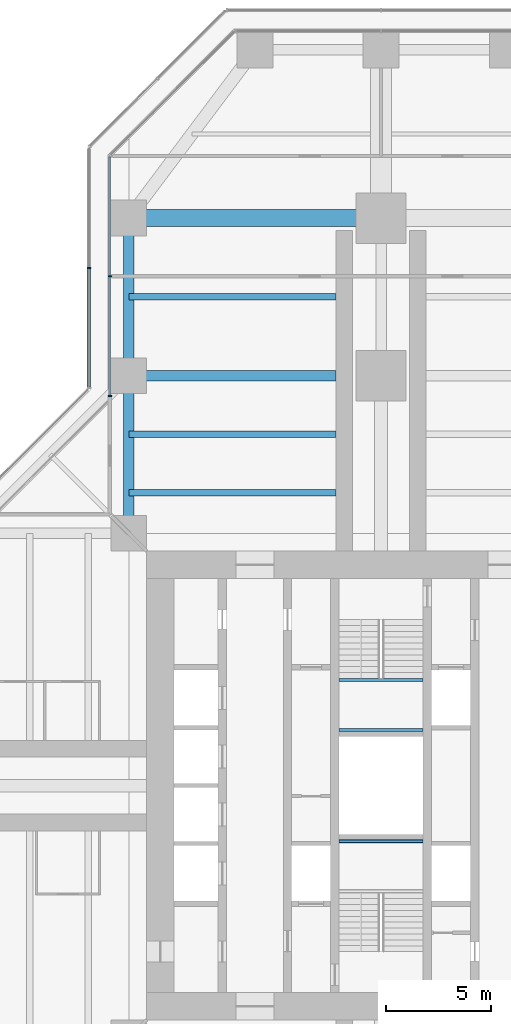
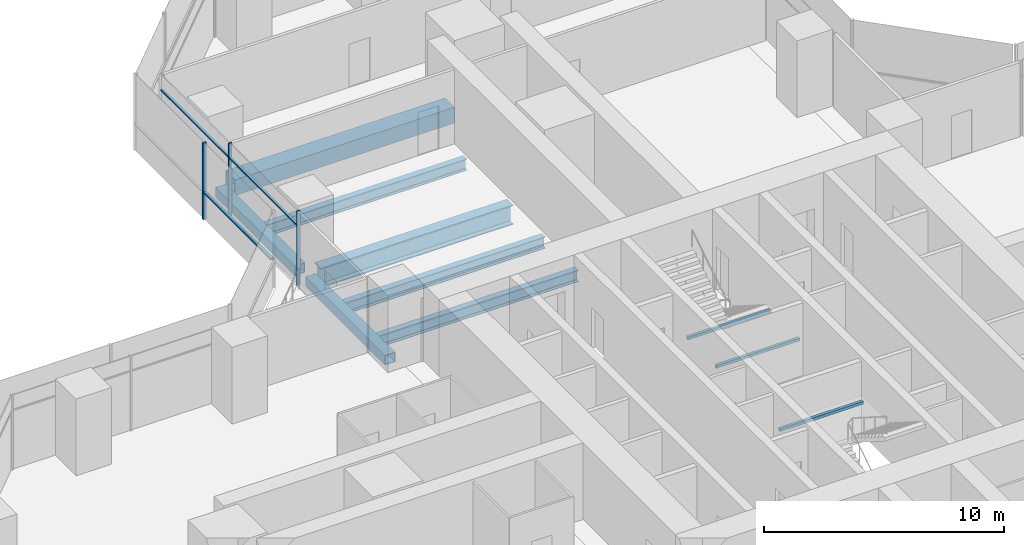
# One storey, part 9 of 22: 10 beams, 6 members, 2 elements without a shape of their own.
"""IFC4 building model written with IfcOpenShell, lengths in metres."""

from ifc_helpers import new_model, si_unit, direction, frame, origin, origin_2d, place, context, subcontext, project, spatial, rectangle, hollow_rectangle, i_section, extrude, material, material_profile, profile_set, type_object, element, aggregate, save


model = new_model("IFC4")

# Units and contexts
model_context = context("Model", 3, precision=1e-05, world=origin(), true_north=direction((0.0, 1.0)))
body_context = subcontext(model_context, "Body", "Model", "MODEL_VIEW")
ifc_project = project(units=[si_unit("LENGTHUNIT", "METRE"), si_unit("AREAUNIT", "SQUARE_METRE"), si_unit("VOLUMEUNIT", "CUBIC_METRE"), si_unit("PLANEANGLEUNIT", "RADIAN"), si_unit("MASSUNIT", "GRAM", prefix="KILO")], contexts=[model_context])

# Site, building, storey
site_placement = place(None, origin())
site = spatial("IfcSite", under=ifc_project, at=site_placement, CompositionType="ELEMENT")
building_placement = place(site_placement, origin())
building = spatial("IfcBuilding", under=site, at=building_placement, Name="Mizan Broadcast Tower", CompositionType="ELEMENT")
storey_placement = place(building_placement, frame((0.0, 0.0, 94.199951171875)))
storey = spatial("IfcBuildingStorey", under=building, at=storey_placement, Name="L20", CompositionType="ELEMENT", Elevation=94.199951171875)

# Beams
ifc_material_1 = material(Name="Steel S355", Category="steel")
ifc_material_profile_1 = material_profile(ifc_material_1, hollow_rectangle(XDim=0.5, YDim=0.5, WallThickness=0.030029296875, at=origin_2d()), Name="BOX 500x500x30")
ifc_profile_set_1 = profile_set([ifc_material_profile_1], Name="Steel S355")
beam_type_1 = type_object("IfcBeamType", Name="EDGE BEAM BOX 500x500x30", PredefinedType="SPANDREL", material=ifc_profile_set_1)
for number, where, z_axis, x_axis, name in (
    (1, (-12.0, 12.449951171875, -0.3798828125), (0.0, 1.0, 0.0), (-1.0, 0.0, 0.0), "Edge beam BOX 500x500x30 L20 north arm"),
    (2, (-12.0, 19.949951171875, -0.3798828125), (0.0, 1.0, 0.0), (-1.0, 0.0, 0.0), "Edge beam BOX 500x500x30 L20 north arm"),
):
    element("IfcBeam", number, at=place(storey_placement, frame(where, z_axis=z_axis, x_axis=x_axis)), inside=storey, type_object=beam_type_1, Name=name, PredefinedType="SPANDREL", context=body_context, shape_type="SweptSolid", body=[
        extrude(hollow_rectangle(XDim=0.5, YDim=0.5, WallThickness=0.030029296875, at=origin_2d()), origin(), (0.0, 0.0, 1.0), 6.60009765625),
    ])
ifc_material_2 = material(Name="Steel S460", Category="steel")
ifc_material_profile_2 = material_profile(ifc_material_2, hollow_rectangle(XDim=0.800048828125, YDim=0.800048828125, WallThickness=0.050048828125, at=origin_2d()), Name="BOX 800x800x50")
ifc_profile_set_2 = profile_set([ifc_material_profile_2], Name="Steel S460")
beam_type_2 = type_object("IfcBeamType", Name="GIRDER BOX 800x800x50", PredefinedType="BEAM", material=ifc_profile_set_2)
beam_1_placement = place(storey_placement, frame((-11.280029296875, 27.0, -0.530029296875), z_axis=(1.0, 0.0, 0.0), x_axis=(0.0, 1.0, 0.0)))
element("IfcBeam", 3, at=beam_1_placement, inside=storey, type_object=beam_type_2, Name="Girder BOX 800x800x50 L20 north arm", PredefinedType="BEAM", context=body_context, shape_type="SweptSolid", body=[
    extrude(hollow_rectangle(XDim=0.800048828125, YDim=0.800048828125, WallThickness=0.050048828125, at=origin_2d()), origin(), (0.0, 0.0, 1.0), 10.56005859375),
])
ifc_material_3 = material(Name="Steel S460", Category="steel")
ifc_material_profile_3 = material_profile(ifc_material_3, i_section(OverallWidth=0.5, OverallDepth=1.0, WebThickness=0.02490234375, FlangeThickness=0.050048828125, at=origin_2d()), Name="WPG 1000x500")
ifc_profile_set_3 = profile_set([ifc_material_profile_3], Name="Steel S460")
beam_type_3 = type_object("IfcBeamType", Name="GIRDER WPG 1000x500", PredefinedType="BEAM", material=ifc_profile_set_3)
beam_2_placement = place(storey_placement, frame((-11.408935546875, 19.5, -0.6298828125), z_axis=(1.0, 0.0, 0.0), x_axis=(0.0, 1.0, 0.0)))
element("IfcBeam", 4, at=beam_2_placement, inside=storey, type_object=beam_type_3, Name="Girder WPG 1000x500 L20 north arm", PredefinedType="BEAM", context=body_context, shape_type="SweptSolid", body=[
    extrude(i_section(OverallWidth=0.5, OverallDepth=1.0, WebThickness=0.02490234375, FlangeThickness=0.050048828125, at=origin_2d()), origin(), (0.0, 0.0, 1.0), 9.259033203125),
])

# Curtain wall, members
ifc_material_4 = material(Name="Aluminium framed glazing", Category="aluminium")
curtain_wall_type_1 = type_object("IfcCurtainWallType", Name="INNER SKIN LOW ZONE", PredefinedType="USERDEFINED", material=ifc_material_4)
curtain_wall_1_placement = place(storey_placement, origin())
curtain_wall_1 = element("IfcCurtainWall", 5, at=curtain_wall_1_placement, inside=storey, type_object=curtain_wall_type_1, Name="Inner skin low zone L20 N side", ObjectType="INNER SKIN LOW ZONE", PredefinedType="USERDEFINED")
ifc_material_5 = material(Name="Aluminium, pale anodised", Category="aluminium")
ifc_material_profile_4 = material_profile(ifc_material_5, rectangle(XDim=0.159912109375, YDim=0.06005859375, at=origin_2d()), Name="MULLION 160x60")
ifc_profile_set_4 = profile_set([ifc_material_profile_4], Name="Aluminium, pale anodised")
member_type_1 = type_object("IfcMemberType", Name="INNER SKIN MULLION 60x160", PredefinedType="MULLION", material=ifc_profile_set_4)
member_1_placement = place(storey_placement, frame((-12.89990234375, 24.229248046875, 0.0), z_axis=(0.0, 0.0, 1.0), x_axis=(1.0, 0.0, 0.0)))
member_1 = element("IfcMember", 6, at=member_1_placement, type_object=member_type_1, Name="Inner skin low zone L20 N side mullion 2", PredefinedType="MULLION", context=body_context, shape_type="SweptSolid", body=[
    extrude(rectangle(XDim=0.159912109375, YDim=0.06005859375, at=origin_2d()), origin(), (0.0, 0.0, 1.0), 3.77001953125),
])
member_2_placement = place(storey_placement, frame((-12.89990234375, 18.530029296875, 0.0), z_axis=(0.0, 0.0, 1.0), x_axis=(1.0, 0.0, 0.0)))
member_2 = element("IfcMember", 7, at=member_2_placement, type_object=member_type_1, Name="Inner skin low zone L20 N side mullion 3", PredefinedType="MULLION", context=body_context, shape_type="SweptSolid", body=[
    extrude(rectangle(XDim=0.159912109375, YDim=0.06005859375, at=origin_2d()), origin(), (0.0, 0.0, 1.0), 3.77001953125),
])
ifc_material_6 = material(Name="Aluminium, pale anodised", Category="aluminium")
ifc_material_profile_5 = material_profile(ifc_material_6, rectangle(XDim=0.1201171875, YDim=0.06005859375, at=origin_2d()), Name="TRANSOM 120x60")
ifc_profile_set_5 = profile_set([ifc_material_profile_5], Name="Aluminium, pale anodised")
member_type_2 = type_object("IfcMemberType", Name="INNER SKIN TRANSOM 60x120", PredefinedType="USERDEFINED", material=ifc_profile_set_5)
member_3_placement = place(storey_placement, frame((-12.89990234375, 29.898681640625, 3.030029296875), z_axis=(0.0, -1.0, 0.0), x_axis=(1.0, 0.0, 0.0)))
member_3 = element("IfcMember", 8, at=member_3_placement, type_object=member_type_2, Name="Inner skin low zone L20 N side transom 1.1", ObjectType="TRANSOM", PredefinedType="USERDEFINED", context=body_context, shape_type="SweptSolid", body=[
    extrude(rectangle(XDim=0.1201171875, YDim=0.06005859375, at=origin_2d()), origin(), (0.0, 0.0, 1.0), 5.639404296875),
])
member_4_placement = place(storey_placement, frame((-12.89990234375, 24.19921875, 3.030029296875), z_axis=(0.0, -1.0, 0.0), x_axis=(1.0, 0.0, 0.0)))
member_4 = element("IfcMember", 9, at=member_4_placement, type_object=member_type_2, Name="Inner skin low zone L20 N side transom 2.1", ObjectType="TRANSOM", PredefinedType="USERDEFINED", context=body_context, shape_type="SweptSolid", body=[
    extrude(rectangle(XDim=0.1201171875, YDim=0.06005859375, at=origin_2d()), origin(), (0.0, 0.0, 1.0), 5.63916015625),
])
aggregate(curtain_wall_1, [member_1, member_2, member_3, member_4])

# Beams
ifc_material_7 = material(Name="Steel S355", Category="steel")
ifc_material_profile_6 = material_profile(ifc_material_7, hollow_rectangle(XDim=0.14990234375, YDim=0.14990234375, WallThickness=0.008056640625, InnerFilletRadius=0.008056640625, OuterFilletRadius=0.011962890625, at=origin_2d()), Name="SHS 150x150x8")
ifc_profile_set_6 = profile_set([ifc_material_profile_6], Name="Steel S355")
beam_type_4 = type_object("IfcBeamType", Name="LANDING TRIMMER SHS 150x150x8", PredefinedType="BEAM", material=ifc_profile_set_6)
for number, where, z_axis, x_axis, name in (
    (10, (-2.0, -2.64990234375, 1.675048828125), (1.0, 0.0, 0.0), (0.0, 1.0, 0.0), "Stair A landing trimmer L20"),
    (11, (2.0, 5.02490234375, 1.675048828125), (-1.0, 0.0, 0.0), (0.0, -1.0, 0.0), "Stair B landing trimmer L20"),
    (12, (2.0, 2.64990234375, 1.675048828125), (-1.0, 0.0, 0.0), (0.0, -1.0, 0.0), "Stair B landing trimmer L20"),
):
    element("IfcBeam", number, at=place(storey_placement, frame(where, z_axis=z_axis, x_axis=x_axis)), inside=storey, type_object=beam_type_4, Name=name, PredefinedType="BEAM", context=body_context, shape_type="SweptSolid", body=[
        extrude(hollow_rectangle(XDim=0.14990234375, YDim=0.14990234375, WallThickness=0.008056640625, InnerFilletRadius=0.008056640625, OuterFilletRadius=0.011962890625, at=origin_2d()), origin(), (0.0, 0.0, 1.0), 4.0),
    ])

# Curtain wall, members
ifc_material_8 = material(Name="Aluminium framed glazing", Category="aluminium")
curtain_wall_type_2 = type_object("IfcCurtainWallType", Name="OUTER SKIN", PredefinedType="USERDEFINED", material=ifc_material_8)
curtain_wall_2_placement = place(storey_placement, origin())
curtain_wall_2 = element("IfcCurtainWall", 13, at=curtain_wall_2_placement, inside=storey, type_object=curtain_wall_type_2, Name="Outer skin L20 N side", ObjectType="OUTER SKIN", PredefinedType="USERDEFINED")
ifc_material_9 = material(Name="Aluminium, pale anodised", Category="aluminium")
ifc_material_profile_7 = material_profile(ifc_material_9, rectangle(XDim=0.159912109375, YDim=0.080078125, at=origin_2d()), Name="MULLION 160x80")
ifc_profile_set_7 = profile_set([ifc_material_profile_7], Name="Aluminium, pale anodised")
member_type_3 = type_object("IfcMemberType", Name="OUTER SKIN MULLION 80x160", PredefinedType="MULLION", material=ifc_profile_set_7)
member_5_placement = place(storey_placement, frame((-13.89990234375, 24.622802734375, 0.0), z_axis=(0.0, 0.0, 1.0), x_axis=(1.0, 0.0, 0.0)))
member_5 = element("IfcMember", 14, at=member_5_placement, type_object=member_type_3, Name="Outer skin L20 N side mullion 2", PredefinedType="MULLION", context=body_context, shape_type="SweptSolid", body=[
    extrude(rectangle(XDim=0.159912109375, YDim=0.080078125, at=origin_2d()), origin(), (0.0, 0.0, 1.0), 3.900146484375),
])
ifc_material_10 = material(Name="Aluminium, pale anodised", Category="aluminium")
ifc_material_profile_8 = material_profile(ifc_material_10, rectangle(XDim=0.159912109375, YDim=0.06005859375, at=origin_2d()), Name="TRANSOM 160x60")
ifc_profile_set_8 = profile_set([ifc_material_profile_8], Name="Aluminium, pale anodised")
member_type_4 = type_object("IfcMemberType", Name="OUTER SKIN TRANSOM 60x160", PredefinedType="USERDEFINED", material=ifc_profile_set_8)
member_6_placement = place(storey_placement, frame((-13.89990234375, 24.582763671875, 1.400146484375), z_axis=(0.0, -1.0, 0.0), x_axis=(1.0, 0.0, 0.0)))
member_6 = element("IfcMember", 15, at=member_6_placement, type_object=member_type_4, Name="Outer skin L20 N side transom 2.1", ObjectType="TRANSOM", PredefinedType="USERDEFINED", context=body_context, shape_type="SweptSolid", body=[
    extrude(rectangle(XDim=0.159912109375, YDim=0.06005859375, at=origin_2d()), origin(), (0.0, 0.0, 1.0), 5.6298828125),
])
aggregate(curtain_wall_2, [member_5, member_6])

# Beams
ifc_material_11 = material(Name="Steel S355", Category="steel")
ifc_material_profile_9 = material_profile(ifc_material_11, i_section(OverallWidth=0.300048828125, OverallDepth=0.590087890625, WebThickness=0.012939453125, FlangeThickness=0.02490234375, FilletRadius=0.027099609375, at=origin_2d()), Name="HEA 600")
ifc_profile_set_9 = profile_set([ifc_material_profile_9], Name="Steel S355")
beam_type_5 = type_object("IfcBeamType", Name="SECONDARY BEAM HEA 600", PredefinedType="JOIST", material=ifc_profile_set_9)
for number, where, z_axis, x_axis, name in (
    (16, (-12.0, 13.933349609375, -0.425048828125), (1.0, 0.0, 0.0), (0.0, 1.0, 0.0), "Secondary beam HEA 600 L20 north arm"),
    (17, (-12.0, 16.716552734375, -0.425048828125), (1.0, 0.0, 0.0), (0.0, 1.0, 0.0), "Secondary beam HEA 600 L20 north arm"),
    (18, (-12.0, 23.25, -0.425048828125), (1.0, 0.0, 0.0), (0.0, 1.0, 0.0), "Secondary beam HEA 600 L20 north arm"),
):
    element("IfcBeam", number, at=place(storey_placement, frame(where, z_axis=z_axis, x_axis=x_axis)), inside=storey, type_object=beam_type_5, Name=name, PredefinedType="JOIST", context=body_context, shape_type="SweptSolid", body=[
        extrude(i_section(OverallWidth=0.300048828125, OverallDepth=0.590087890625, WebThickness=0.012939453125, FlangeThickness=0.02490234375, FilletRadius=0.027099609375, at=origin_2d()), origin(), (0.0, 0.0, 1.0), 9.85009765625),
    ])

save(model, "model.ifc")
